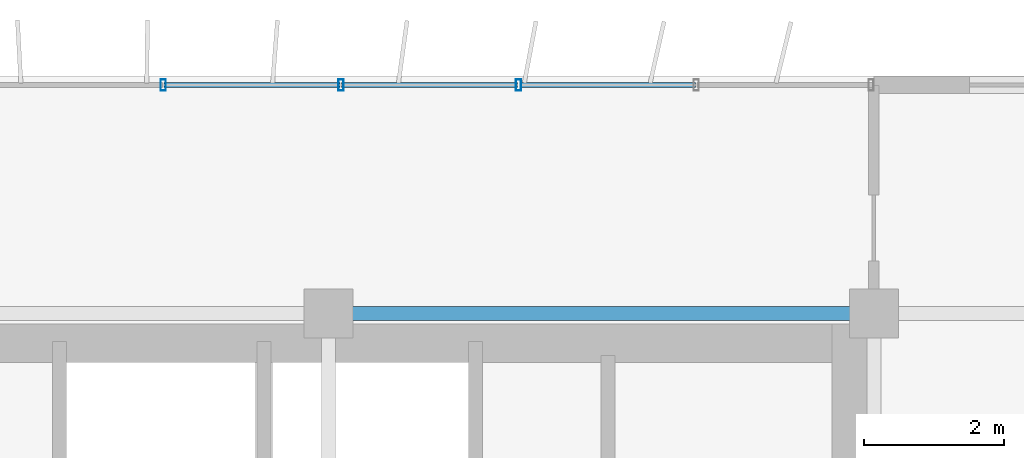
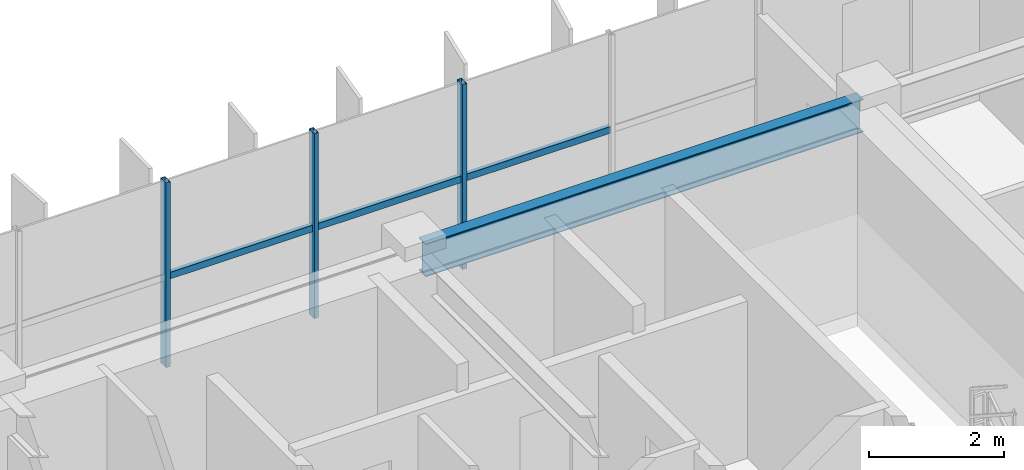
# One storey, part 10 of 21: 6 members, 1 beam, 1 element without a shape of its own.
"""IFC4 building model written with IfcOpenShell, lengths in metres."""

from ifc_helpers import new_model, si_unit, direction, frame, origin, origin_2d, place, context, subcontext, project, spatial, hollow_rectangle, i_section, extrude, source, transform, mapped, material, material_profile, profile_set, type_object, element, aggregate, save


model = new_model("IFC4")

# Units and contexts
model_context = context("Model", 3, precision=1e-05, world=origin(), true_north=direction((0.0, 1.0)))
body_context = subcontext(model_context, "Body", "Model", "MODEL_VIEW")
ifc_project = project(units=[si_unit("LENGTHUNIT", "METRE"), si_unit("AREAUNIT", "SQUARE_METRE"), si_unit("VOLUMEUNIT", "CUBIC_METRE"), si_unit("PLANEANGLEUNIT", "RADIAN"), si_unit("MASSUNIT", "GRAM", prefix="KILO")], contexts=[model_context])

# Site, building, storey
site_placement = place(None, origin())
site = spatial("IfcSite", under=ifc_project, at=site_placement, CompositionType="ELEMENT")
building_placement = place(site_placement, origin())
building = spatial("IfcBuilding", under=site, at=building_placement, Name="Trelvane Seafront Commons", CompositionType="ELEMENT")
storey_placement = place(building_placement, frame((0.0, 0.0, 153.699951171875)))
storey = spatial("IfcBuildingStorey", under=building, at=storey_placement, Name="L40", CompositionType="ELEMENT", Elevation=153.699951171875)

# Beam
ifc_material_1 = material(Name="Steel SM355 (S355)", Category="steel")
ifc_material_profile_1 = material_profile(ifc_material_1, i_section(OverallWidth=0.199951171875, OverallDepth=0.60009765625, WebThickness=0.010986328125, FlangeThickness=0.01708984375, at=origin_2d()), Name="H-600x200x11x17")
ifc_profile_set_1 = profile_set([ifc_material_profile_1], Name="Steel SM355 (S355)")
beam_type = type_object("IfcBeamType", Name="STR-SPD-H600", PredefinedType="SPANDREL", material=ifc_profile_set_1)
shared_shape_1 = source(origin(), body_context, "Body", "SweptSolid", [
    extrude(i_section(OverallWidth=0.199951171875, OverallDepth=0.60009765625, WebThickness=0.010986328125, FlangeThickness=0.01708984375, at=origin_2d()), origin(), (0.0, 0.0, 1.0), 7.5),
])
beam_placement = place(storey_placement, frame((51.14990234375, 45.10009765625, 3.050048828125), z_axis=(1.0, 0.0, 0.0), x_axis=(0.0, 1.0, 0.0)))
element("IfcBeam", 1, at=beam_placement, inside=storey, type_object=beam_type, Name="L40 Primary Girder G-27", PredefinedType="SPANDREL", context=body_context, shape_type="MappedRepresentation", body=[
    mapped(shared_shape_1, transform((0.0, 0.0, 0.0), x_axis=(1.0, 0.0, 0.0), y_axis=(0.0, 1.0, 0.0), z_axis=(0.0, 0.0, 1.0), scale=1.0)),
])

# Curtain wall, members
ifc_material_2 = material(Name="Anodised pale-silver aluminium", Category="aluminium")
curtain_wall_type = type_object("IfcCurtainWallType", Name="ARCH-CW5-UPTOWER", PredefinedType="NOTDEFINED", material=ifc_material_2)
curtain_wall_placement = place(storey_placement, origin())
curtain_wall = element("IfcCurtainWall", 2, at=curtain_wall_placement, inside=storey, type_object=curtain_wall_type, Name="CW-L40-0067", PredefinedType="NOTDEFINED")
ifc_material_profile_2 = material_profile(ifc_material_2, hollow_rectangle(XDim=0.070068359375, YDim=0.1201171875, WallThickness=0.00390625, at=origin_2d()), Name="TRAN-70x120x4")
ifc_profile_set_2 = profile_set([ifc_material_profile_2], Name="Anodised pale-silver aluminium")
member_type_1 = type_object("IfcMemberType", Name="ARCH-CW-TRAN-120", PredefinedType="USERDEFINED", material=ifc_profile_set_2)
shared_shape_2 = source(origin(), body_context, "Body", "SweptSolid", [
    extrude(hollow_rectangle(XDim=0.070068359375, YDim=0.1201171875, WallThickness=0.00390625, at=origin_2d()), origin(), (0.0, 0.0, 1.0), 2.51708984375),
])
member_1_placement = place(storey_placement, frame((51.1884765625, 48.3701171875, 1.608154296875), z_axis=(1.0, 0.0, 0.0), x_axis=(0.0, 1.0, 0.0)))
member_1 = element("IfcMember", 3, at=member_1_placement, type_object=member_type_1, Name="CW-L40-0067-T14", ObjectType="TRANSOM", PredefinedType="USERDEFINED", context=body_context, shape_type="MappedRepresentation", body=[
    mapped(shared_shape_2, transform((0.0, 0.0, 0.0), x_axis=(1.0, 0.0, 0.0), y_axis=(0.0, 1.0, 0.0), z_axis=(0.0, 0.0, 1.0), scale=1.0)),
])
shared_shape_3 = source(origin(), body_context, "Body", "SweptSolid", [
    extrude(hollow_rectangle(XDim=0.070068359375, YDim=0.1201171875, WallThickness=0.00390625, at=origin_2d()), origin(), (0.0, 0.0, 1.0), 2.517333984375),
])
member_2_placement = place(storey_placement, frame((48.647216796875, 48.3701171875, 1.608154296875), z_axis=(1.0, 0.0, 0.0), x_axis=(0.0, 1.0, 0.0)))
member_2 = element("IfcMember", 4, at=member_2_placement, type_object=member_type_1, Name="CW-L40-0067-T13", ObjectType="TRANSOM", PredefinedType="USERDEFINED", context=body_context, shape_type="MappedRepresentation", body=[
    mapped(shared_shape_3, transform((0.0, 0.0, 0.0), x_axis=(1.0, 0.0, 0.0), y_axis=(0.0, 1.0, 0.0), z_axis=(0.0, 0.0, 1.0), scale=1.0)),
])
member_3_placement = place(storey_placement, frame((53.7294921875, 48.3701171875, 1.608154296875), z_axis=(1.0, 0.0, 0.0), x_axis=(0.0, 1.0, 0.0)))
member_3 = element("IfcMember", 5, at=member_3_placement, type_object=member_type_1, Name="CW-L40-0067-T15", ObjectType="TRANSOM", PredefinedType="USERDEFINED", context=body_context, shape_type="MappedRepresentation", body=[
    mapped(shared_shape_3, transform((0.0, 0.0, 0.0), x_axis=(1.0, 0.0, 0.0), y_axis=(0.0, 1.0, 0.0), z_axis=(0.0, 0.0, 1.0), scale=1.0)),
])
ifc_material_profile_3 = material_profile(ifc_material_2, hollow_rectangle(XDim=0.074951171875, YDim=0.159912109375, WallThickness=0.00390625, at=origin_2d()), Name="MULL-75x160x4")
ifc_profile_set_3 = profile_set([ifc_material_profile_3], Name="Anodised pale-silver aluminium")
member_type_2 = type_object("IfcMemberType", Name="ARCH-CW-MULL-160", PredefinedType="MULLION", material=ifc_profile_set_3)
shared_shape_4 = source(origin(), body_context, "Body", "SweptSolid", [
    extrude(hollow_rectangle(XDim=0.074951171875, YDim=0.159912109375, WallThickness=0.00390625, at=origin_2d()), origin(), (0.0, 0.0, 1.0), 3.35009765625),
])
member_4_placement = place(storey_placement, frame((48.63525390625, 48.3701171875, 0.0), z_axis=(0.0, 0.0, 1.0), x_axis=(1.0, 0.0, 0.0)))
member_4 = element("IfcMember", 6, at=member_4_placement, type_object=member_type_2, Name="CW-L40-0067-M13", PredefinedType="MULLION", context=body_context, shape_type="MappedRepresentation", body=[
    mapped(shared_shape_4, transform((0.0, 0.0, 0.0), x_axis=(1.0, 0.0, 0.0), y_axis=(0.0, 1.0, 0.0), z_axis=(0.0, 0.0, 1.0), scale=1.0)),
])
member_5_placement = place(storey_placement, frame((51.176513671875, 48.3701171875, 0.0), z_axis=(0.0, 0.0, 1.0), x_axis=(1.0, 0.0, 0.0)))
member_5 = element("IfcMember", 7, at=member_5_placement, type_object=member_type_2, Name="CW-L40-0067-M14", PredefinedType="MULLION", context=body_context, shape_type="MappedRepresentation", body=[
    mapped(shared_shape_4, transform((0.0, 0.0, 0.0), x_axis=(1.0, 0.0, 0.0), y_axis=(0.0, 1.0, 0.0), z_axis=(0.0, 0.0, 1.0), scale=1.0)),
])
member_6_placement = place(storey_placement, frame((53.717529296875, 48.3701171875, 0.0), z_axis=(0.0, 0.0, 1.0), x_axis=(1.0, 0.0, 0.0)))
member_6 = element("IfcMember", 8, at=member_6_placement, type_object=member_type_2, Name="CW-L40-0067-M15", PredefinedType="MULLION", context=body_context, shape_type="MappedRepresentation", body=[
    mapped(shared_shape_4, transform((0.0, 0.0, 0.0), x_axis=(1.0, 0.0, 0.0), y_axis=(0.0, 1.0, 0.0), z_axis=(0.0, 0.0, 1.0), scale=1.0)),
])
aggregate(curtain_wall, [member_4, member_5, member_6, member_2, member_1, member_3])

save(model, "model.ifc")
